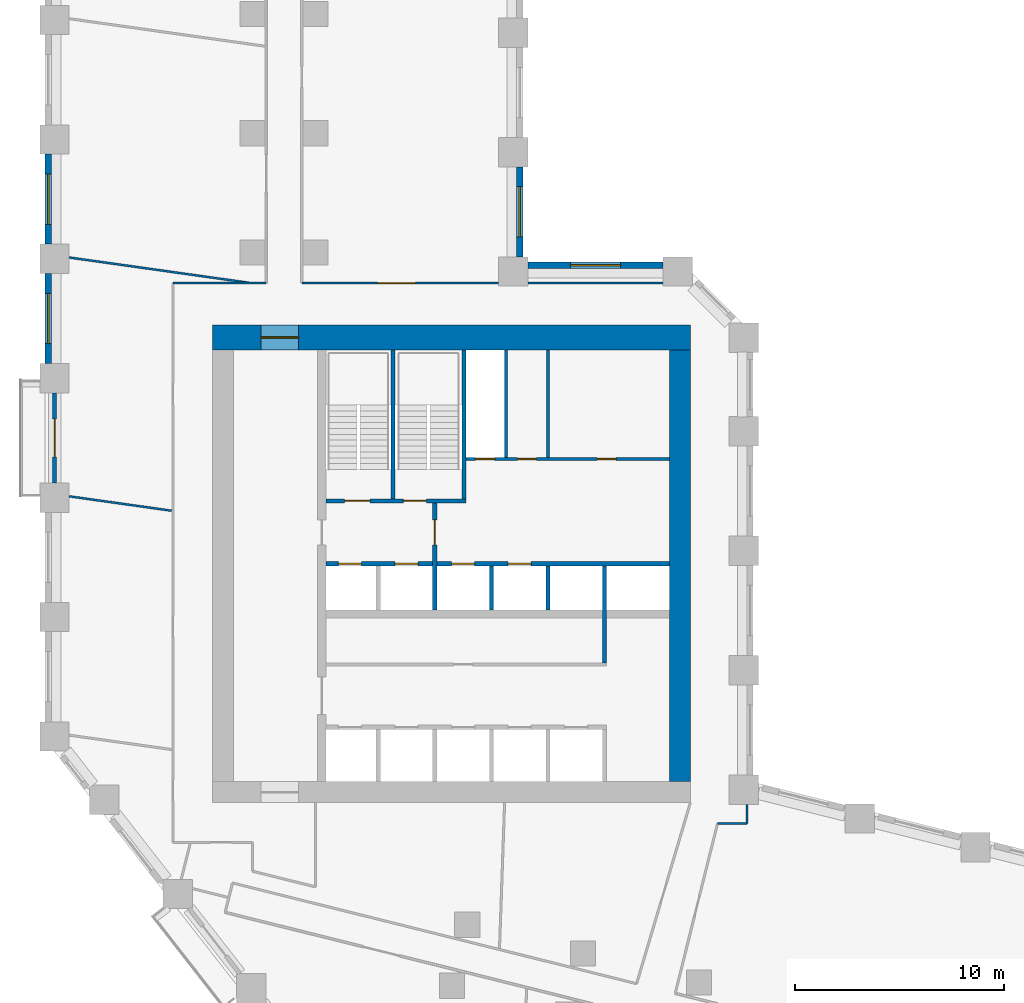
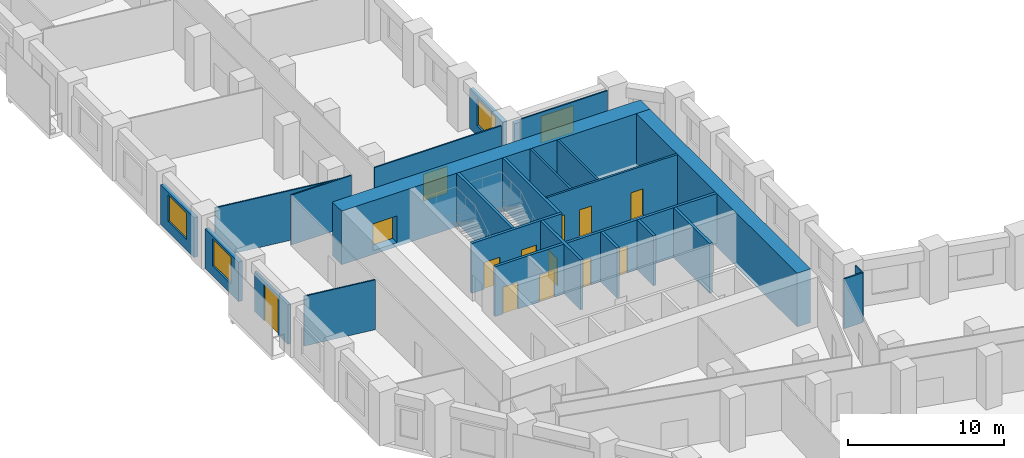
# One storey, part 5 of 11: 25 walls, 13 doors, 4 windows, 17 openings.
"""IFC4 building model written with IfcOpenShell, lengths in metres."""

from ifc_helpers import new_model, si_unit, direction, frame, frame_2d, origin, place, context, subcontext, project, spatial, rectangle, extrude, material, layer, layer_set, type_object, element, fill, save


model = new_model("IFC4")

# Units and contexts
model_context = context("Model", 3, precision=1e-05, world=origin(), true_north=direction((0.0, 1.0)))
body_context = subcontext(model_context, "Body", "Model", "MODEL_VIEW")
ifc_project = project(units=[si_unit("LENGTHUNIT", "METRE"), si_unit("AREAUNIT", "SQUARE_METRE"), si_unit("VOLUMEUNIT", "CUBIC_METRE"), si_unit("PLANEANGLEUNIT", "RADIAN"), si_unit("MASSUNIT", "GRAM", prefix="KILO")], contexts=[model_context])

# Site, building, storey
site_placement = place(None, origin())
site = spatial("IfcSite", under=ifc_project, at=site_placement, CompositionType="ELEMENT")
building_placement = place(site_placement, origin())
building = spatial("IfcBuilding", under=site, at=building_placement, Name="Meshkara Civic Tower", CompositionType="ELEMENT")
storey_placement = place(building_placement, frame((0.0, 0.0, 79.199951171875)))
storey = spatial("IfcBuildingStorey", under=building, at=storey_placement, Name="L17", CompositionType="ELEMENT", Elevation=79.199951171875)

# Wall, openings, doors
ifc_material_1 = material(Name="Blockwork", Category="masonry")
ifc_layer_1 = layer(ifc_material_1, 0.14990234375)
ifc_layer_set_1 = layer_set([ifc_layer_1], Name="Core partition 150")
wall_type_1 = type_object("IfcWallType", Name="Core partition 150", PredefinedType="PARTITIONING", material=ifc_layer_set_1)
wall_1_placement = place(storey_placement, frame((20.10009765625, 30.5, 0.0), z_axis=(0.0, 0.0, 1.0), x_axis=(1.0, 0.0, 0.0)))
wall_1 = element("IfcWall", 1, at=wall_1_placement, inside=storey, type_object=wall_type_1, Name="L17-C010", PredefinedType="PARTITIONING", context=body_context, shape_type="SweptSolid", body=[
    extrude(rectangle(XDim=9.699951171875, YDim=0.14990234375, at=frame_2d((4.85009765625, 0.0))), origin(), (0.0, 0.0, 1.0), 3.900146484375),
])
opening_1_placement = place(wall_1_placement, frame((0.449951171875, 0.0, 0.0)))
opening_1 = element("IfcOpeningElement", 2, at=opening_1_placement, cuts=wall_1, Name="Opening L17-K011", PredefinedType="OPENING", context=body_context, shape_type="SweptSolid", body=[
    extrude(rectangle(XDim=0.89990234375, YDim=2.10009765625, at=frame_2d((0.449951171875, 1.050048828125))), frame((0.0, 0.0849609375, 0.0), z_axis=(0.0, -1.0, 0.0), x_axis=(1.0, 0.0, 0.0)), (0.0, 0.0, 1.0), 0.169921875),
])
opening_2_placement = place(wall_1_placement, frame((2.449951171875, 0.0, 0.0)))
opening_2 = element("IfcOpeningElement", 3, at=opening_2_placement, cuts=wall_1, Name="Opening L17-K012", PredefinedType="OPENING", context=body_context, shape_type="SweptSolid", body=[
    extrude(rectangle(XDim=0.89990234375, YDim=2.10009765625, at=frame_2d((0.449951171875, 1.050048828125))), frame((0.0, 0.0849609375, 0.0), z_axis=(0.0, -1.0, 0.0), x_axis=(1.0, 0.0, 0.0)), (0.0, 0.0, 1.0), 0.169921875),
])
opening_3_placement = place(wall_1_placement, frame((6.25, 0.0, 0.0)))
opening_3 = element("IfcOpeningElement", 4, at=opening_3_placement, cuts=wall_1, Name="Opening L17-K013", PredefinedType="OPENING", context=body_context, shape_type="SweptSolid", body=[
    extrude(rectangle(XDim=0.89990234375, YDim=2.10009765625, at=frame_2d((0.449951171875, 1.050048828125))), frame((0.0, 0.0849609375, 0.0), z_axis=(0.0, -1.0, 0.0), x_axis=(1.0, 0.0, 0.0)), (0.0, 0.0, 1.0), 0.169921875),
])
ifc_material_2 = material(Name="Timber door leaf in steel frame", Category="steel")
door_type_1 = type_object("IfcDoorType", Name="Core room door 900", OperationType="SINGLE_SWING_LEFT", PredefinedType="DOOR", material=ifc_material_2)
door_1_placement = place(opening_3_placement, origin())
door_1 = element("IfcDoor", 5, at=door_1_placement, inside=storey, type_object=door_type_1, Name="L17-K013", OperationType="SINGLE_SWING_RIGHT", OverallHeight=2.10009765625, OverallWidth=0.89990234375, PredefinedType="DOOR", context=body_context, shape_type="SweptSolid", body=[
    extrude(rectangle(XDim=0.89990234375, YDim=2.10009765625, at=frame_2d((0.449951171875, 1.050048828125))), frame((0.0, 0.02490234375, 0.0), z_axis=(0.0, -1.0, 0.0), x_axis=(1.0, 0.0, 0.0)), (0.0, 0.0, 1.0), 0.050048828125),
])
fill(opening_3, door_1)
ifc_material_3 = material(Name="Fire-rated door leaf in steel frame", Category="steel")
door_type_2 = type_object("IfcDoorType", Name="Riser door 900", OperationType="SINGLE_SWING_LEFT", PredefinedType="DOOR", material=ifc_material_3)
door_2_placement = place(opening_1_placement, origin())
door_2 = element("IfcDoor", 6, at=door_2_placement, inside=storey, type_object=door_type_2, Name="L17-K011", OperationType="SINGLE_SWING_RIGHT", OverallHeight=2.10009765625, OverallWidth=0.89990234375, PredefinedType="DOOR", context=body_context, shape_type="SweptSolid", body=[
    extrude(rectangle(XDim=0.89990234375, YDim=2.10009765625, at=frame_2d((0.449951171875, 1.050048828125))), frame((0.0, 0.02490234375, 0.0), z_axis=(0.0, -1.0, 0.0), x_axis=(1.0, 0.0, 0.0)), (0.0, 0.0, 1.0), 0.050048828125),
])
fill(opening_1, door_2)
ifc_material_4 = material(Name="Timber door leaf in steel frame", Category="steel")
door_type_3 = type_object("IfcDoorType", Name="WC door 900", OperationType="SINGLE_SWING_LEFT", PredefinedType="DOOR", material=ifc_material_4)
door_3_placement = place(opening_2_placement, origin())
door_3 = element("IfcDoor", 7, at=door_3_placement, inside=storey, type_object=door_type_3, Name="L17-K012", OperationType="SINGLE_SWING_LEFT", OverallHeight=2.10009765625, OverallWidth=0.89990234375, PredefinedType="DOOR", context=body_context, shape_type="SweptSolid", body=[
    extrude(rectangle(XDim=0.89990234375, YDim=2.10009765625, at=frame_2d((0.449951171875, 1.050048828125))), frame((0.0, 0.02490234375, 0.0), z_axis=(0.0, -1.0, 0.0), x_axis=(1.0, 0.0, 0.0)), (0.0, 0.0, 1.0), 0.050048828125),
])
fill(opening_2, door_3)

# Walls
for number, where, z_axis, x_axis, name in (
    (8, (22.0, 30.574951171875, 0.0), (0.0, 0.0, 1.0), (0.0, 1.0, 0.0), "L17-C020"),
    (9, (24.0, 30.574951171875, 0.0), (0.0, 0.0, 1.0), (0.0, 1.0, 0.0), "L17-C023"),
):
    element("IfcWall", number, at=place(storey_placement, frame(where, z_axis=z_axis, x_axis=x_axis)), inside=storey, type_object=wall_type_1, Name=name, PredefinedType="PARTITIONING", context=body_context, shape_type="SweptSolid", body=[
        extrude(rectangle(XDim=5.125, YDim=0.14990234375, at=frame_2d((2.5625, 0.0))), origin(), (0.0, 0.0, 1.0), 3.900146484375),
    ])
ifc_material_5 = material(Name="Concrete C80", Category="concrete")
ifc_layer_2 = layer(ifc_material_5, 1.0)
ifc_layer_set_2 = layer_set([ifc_layer_2], Name="Core ring wall 1000 C80")
wall_type_2 = type_object("IfcWallType", Name="Core ring wall 1000 C80", PredefinedType="SHEAR", material=ifc_layer_set_2)
wall_2_placement = place(storey_placement, frame((30.300048828125, 15.10009765625, -0.300048828125), z_axis=(0.0, 0.0, 1.0), x_axis=(0.0, 1.0, 0.0)))
element("IfcWall", 10, at=wall_2_placement, inside=storey, type_object=wall_type_2, Name="L17-C004", PredefinedType="SHEAR", context=body_context, shape_type="SweptSolid", body=[
    extrude(rectangle(XDim=20.599853515625, YDim=1.0, at=frame_2d((10.2998046875, 0.0))), origin(), (0.0, 0.0, 1.0), 4.2001953125),
])

# Wall, opening, door
ifc_material_6 = material(Name="Concrete C80", Category="concrete")
ifc_layer_3 = layer(ifc_material_6, 1.199951171875)
ifc_layer_set_3 = layer_set([ifc_layer_3], Name="Core ring wall 1200 C80")
wall_type_3 = type_object("IfcWallType", Name="Core ring wall 1200 C80", PredefinedType="SHEAR", material=ifc_layer_set_3)
wall_3_placement = place(storey_placement, frame((8.0, 36.300048828125, -0.300048828125), z_axis=(0.0, 0.0, 1.0), x_axis=(1.0, 0.0, 0.0)))
wall_3 = element("IfcWall", 11, at=wall_3_placement, inside=storey, type_object=wall_type_3, Name="L17-C002", PredefinedType="SHEAR", context=body_context, shape_type="SweptSolid", body=[
    extrude(rectangle(XDim=22.800048828125, YDim=1.199951171875, at=frame_2d((11.39990234375, 0.0))), origin(), (0.0, 0.0, 1.0), 4.2001953125),
])
opening_4_placement = place(wall_3_placement, frame((2.300048828125, 0.0, 0.300048828125)))
opening_4 = element("IfcOpeningElement", 12, at=opening_4_placement, cuts=wall_3, Name="Opening L17-K019", PredefinedType="OPENING", context=body_context, shape_type="SweptSolid", body=[
    extrude(rectangle(XDim=1.800048828125, YDim=2.10009765625, at=frame_2d((0.89990234375, 1.050048828125))), frame((0.0, 0.60986328125, 0.0), z_axis=(0.0, -1.0, 0.0), x_axis=(1.0, 0.0, 0.0)), (0.0, 0.0, 1.0), 1.219970703125),
])
ifc_material_7 = material(Name="Fire-rated door leaf in steel frame", Category="steel")
door_type_4 = type_object("IfcDoorType", Name="Core double door 1800 EI 60", OperationType="DOUBLE_DOOR_SINGLE_SWING", PredefinedType="DOOR", material=ifc_material_7)
door_4_placement = place(opening_4_placement, origin())
door_4 = element("IfcDoor", 13, at=door_4_placement, inside=storey, type_object=door_type_4, Name="L17-K019", OperationType="DOUBLE_DOOR_SINGLE_SWING", OverallHeight=2.10009765625, OverallWidth=1.800048828125, PredefinedType="DOOR", context=body_context, shape_type="SweptSolid", body=[
    extrude(rectangle(XDim=1.800048828125, YDim=2.10009765625, at=frame_2d((0.89990234375, 1.050048828125))), frame((0.0, 0.02490234375, 0.0), z_axis=(0.0, -1.0, 0.0), x_axis=(1.0, 0.0, 0.0)), (0.0, 0.0, 1.0), 0.050048828125),
])
fill(opening_4, door_4)

# Wall
ifc_material_8 = material(Name="Corridor wall 100")
ifc_layer_4 = layer(ifc_material_8, 0.10009765625)
ifc_layer_set_4 = layer_set([ifc_layer_4], Name="Corridor wall 100")
wall_type_4 = type_object("IfcWallType", Name="Corridor wall 100", PredefinedType="PARTITIONING", material=ifc_layer_set_4)
wall_4_placement = place(storey_placement, frame((6.10009765625, 38.89990234375, 0.0), z_axis=(0.0, 0.0, 1.0), x_axis=(1.0, 0.0, 0.0)))
element("IfcWall", 14, at=wall_4_placement, inside=storey, type_object=wall_type_4, Name="L17-W006", PredefinedType="PARTITIONING", context=body_context, shape_type="SweptSolid", body=[
    extrude(rectangle(XDim=4.449951171875, YDim=0.10009765625, at=frame_2d((2.22509765625, 0.0))), origin(), (0.0, 0.0, 1.0), 3.900146484375),
])

# Wall, opening, door
wall_5_placement = place(storey_placement, frame((21.64990234375, 38.89990234375, 0.0), z_axis=(0.0, 0.0, 1.0), x_axis=(-1.0, 0.0, 0.0)))
wall_5 = element("IfcWall", 15, at=wall_5_placement, inside=storey, type_object=wall_type_4, Name="L17-W018", PredefinedType="PARTITIONING", context=body_context, shape_type="SweptSolid", body=[
    extrude(rectangle(XDim=9.39990234375, YDim=0.10009765625, at=frame_2d((4.699951171875, 0.0))), origin(), (0.0, 0.0, 1.0), 3.900146484375),
])
opening_5_placement = place(wall_5_placement, frame((3.97998046875, 0.0, 0.0)))
opening_5 = element("IfcOpeningElement", 16, at=opening_5_placement, cuts=wall_5, Name="Opening L17-D020", PredefinedType="OPENING", context=body_context, shape_type="SweptSolid", body=[
    extrude(rectangle(XDim=1.800048828125, YDim=2.10009765625, at=frame_2d((0.89990234375, 1.050048828125))), frame((0.0, 0.06005859375, 0.0), z_axis=(0.0, -1.0, 0.0), x_axis=(1.0, 0.0, 0.0)), (0.0, 0.0, 1.0), 0.1201171875),
])
ifc_material_9 = material(Name="Door pair 1800 x 2100")
door_type_5 = type_object("IfcDoorType", Name="Door pair 1800 x 2100", OperationType="SINGLE_SWING_LEFT", PredefinedType="DOOR", material=ifc_material_9)
door_5_placement = place(opening_5_placement, origin())
door_5 = element("IfcDoor", 17, at=door_5_placement, inside=storey, type_object=door_type_5, Name="L17-D020", OperationType="DOUBLE_DOOR_SINGLE_SWING", OverallHeight=2.10009765625, OverallWidth=1.800048828125, PredefinedType="DOOR", context=body_context, shape_type="SweptSolid", body=[
    extrude(rectangle(XDim=1.800048828125, YDim=2.10009765625, at=frame_2d((0.89990234375, 1.050048828125))), frame((0.0, 0.02490234375, 0.0), z_axis=(0.0, -1.0, 0.0), x_axis=(1.0, 0.0, 0.0)), (0.0, 0.0, 1.0), 0.050048828125),
])
fill(opening_5, door_5)

# Walls
wall_6_placement = place(storey_placement, frame((29.493896484375, 38.89990234375, 0.0), z_axis=(0.0, 0.0, 1.0), x_axis=(-1.0, 0.0, 0.0)))
element("IfcWall", 18, at=wall_6_placement, inside=storey, type_object=wall_type_4, Name="L17-W019", PredefinedType="PARTITIONING", context=body_context, shape_type="SweptSolid", body=[
    extrude(rectangle(XDim=6.44384765625, YDim=0.10009765625, at=frame_2d((3.221923828125, 0.0))), origin(), (0.0, 0.0, 1.0), 3.900146484375),
])
wall_7_placement = place(storey_placement, frame((32.096923828125, 13.10009765625, 0.0), z_axis=(0.0, 0.0, 1.0), x_axis=(1.0, 0.0, 0.0)))
element("IfcWall", 19, at=wall_7_placement, inside=storey, type_object=wall_type_4, Name="L17-W023", PredefinedType="PARTITIONING", context=body_context, shape_type="SweptSolid", body=[
    extrude(rectangle(XDim=1.403076171875, YDim=0.10009765625, at=frame_2d((0.70166015625, 0.0))), origin(), (0.0, 0.0, 1.0), 3.900146484375),
])
wall_8_placement = place(storey_placement, frame((33.5, 13.10009765625, 0.0), z_axis=(0.0, 0.0, 1.0), x_axis=(0.0, 1.0, 0.0)))
element("IfcWall", 20, at=wall_8_placement, inside=storey, type_object=wall_type_4, Name="L17-W024", PredefinedType="PARTITIONING", context=body_context, shape_type="SweptSolid", body=[
    extrude(rectangle(XDim=0.9189453125, YDim=0.10009765625, at=frame_2d((0.45947265625, 0.0))), origin(), (0.0, 0.0, 1.0), 3.900146484375),
])

# Wall, opening, window
ifc_material_10 = material(Name="Insulated infill panel with bronze anodised aluminium cladding", Category="aluminium")
ifc_layer_5 = layer(ifc_material_10, 0.300048828125)
ifc_layer_set_5 = layer_set([ifc_layer_5], Name="EXTERNAL INFILL WALL 300")
wall_type_5 = type_object("IfcWallType", Name="EXTERNAL INFILL WALL 300", PredefinedType="SOLIDWALL", material=ifc_layer_set_5)
wall_9_placement = place(storey_placement, frame((29.493896484375, 39.75, 0.0), z_axis=(0.0, 0.0, 1.0), x_axis=(-1.0, 0.0, 0.0)))
wall_9 = element("IfcWall", 21, at=wall_9_placement, inside=storey, type_object=wall_type_5, Name="External wall", PredefinedType="SOLIDWALL", context=body_context, shape_type="SweptSolid", body=[
    extrude(rectangle(XDim=6.44384765625, YDim=0.300048828125, at=frame_2d((3.221923828125, 0.0))), origin(), (0.0, 0.0, 1.0), 3.10009765625),
])
opening_6_placement = place(wall_9_placement, frame((2.02197265625, 0.0, 0.800048828125)))
opening_6 = element("IfcOpeningElement", 22, at=opening_6_placement, cuts=wall_9, Name="Opening W7", PredefinedType="OPENING", context=body_context, shape_type="SweptSolid", body=[
    extrude(rectangle(XDim=2.39990234375, YDim=2.10009765625, at=frame_2d((1.199951171875, 1.050048828125))), frame((0.0, 0.159912109375, 0.0), z_axis=(0.0, -1.0, 0.0), x_axis=(1.0, 0.0, 0.0)), (0.0, 0.0, 1.0), 0.320068359375),
])
ifc_material_11 = material(Name="Tinted double glazing", Category="glass")
window_type = type_object("IfcWindowType", Name="WINDOW 2400x2100", PartitioningType="DOUBLE_PANEL_VERTICAL", PredefinedType="WINDOW", material=ifc_material_11)
window_1_placement = place(opening_6_placement, origin())
window_1 = element("IfcWindow", 23, at=window_1_placement, inside=storey, type_object=window_type, Name="Window", OverallHeight=2.10009765625, OverallWidth=2.39990234375, PartitioningType="DOUBLE_PANEL_VERTICAL", PredefinedType="WINDOW", context=body_context, shape_type="SweptSolid", body=[
    extrude(rectangle(XDim=2.39990234375, YDim=2.10009765625, at=frame_2d((1.199951171875, 1.050048828125))), frame((0.0, 0.030029296875, 0.0), z_axis=(0.0, -1.0, 0.0), x_axis=(1.0, 0.0, 0.0)), (0.0, 0.0, 1.0), 0.06005859375),
])
fill(opening_6, window_1)

wall_10_placement = place(storey_placement, frame((22.64990234375, 40.14990234375, 0.0), z_axis=(0.0, 0.0, 1.0), x_axis=(0.0, 1.0, 0.0)))
wall_10 = element("IfcWall", 24, at=wall_10_placement, inside=storey, type_object=wall_type_5, Name="External wall", PredefinedType="SOLIDWALL", context=body_context, shape_type="SweptSolid", body=[
    extrude(rectangle(XDim=4.300048828125, YDim=0.300048828125, at=frame_2d((2.14990234375, 0.0))), origin(), (0.0, 0.0, 1.0), 3.10009765625),
])
opening_7_placement = place(wall_10_placement, frame((0.949951171875, 0.0, 0.800048828125)))
opening_7 = element("IfcOpeningElement", 25, at=opening_7_placement, cuts=wall_10, Name="Opening W7", PredefinedType="OPENING", context=body_context, shape_type="SweptSolid", body=[
    extrude(rectangle(XDim=2.39990234375, YDim=2.10009765625, at=frame_2d((1.199951171875, 1.050048828125))), frame((0.0, 0.159912109375, 0.0), z_axis=(0.0, -1.0, 0.0), x_axis=(1.0, 0.0, 0.0)), (0.0, 0.0, 1.0), 0.320068359375),
])
window_2_placement = place(opening_7_placement, origin())
window_2 = element("IfcWindow", 26, at=window_2_placement, inside=storey, type_object=window_type, Name="Window", OverallHeight=2.10009765625, OverallWidth=2.39990234375, PartitioningType="DOUBLE_PANEL_VERTICAL", PredefinedType="WINDOW", context=body_context, shape_type="SweptSolid", body=[
    extrude(rectangle(XDim=2.39990234375, YDim=2.10009765625, at=frame_2d((1.199951171875, 1.050048828125))), frame((0.0, 0.030029296875, 0.0), z_axis=(0.0, -1.0, 0.0), x_axis=(1.0, 0.0, 0.0)), (0.0, 0.0, 1.0), 0.06005859375),
])
fill(opening_7, window_2)

wall_11_placement = place(storey_placement, frame((0.14990234375, 45.054931640625, 0.0), z_axis=(0.0, 0.0, 1.0), x_axis=(0.0, -1.0, 0.0)))
wall_11 = element("IfcWall", 27, at=wall_11_placement, inside=storey, type_object=wall_type_5, Name="External wall", PredefinedType="SOLIDWALL", context=body_context, shape_type="SweptSolid", body=[
    extrude(rectangle(XDim=4.300048828125, YDim=0.300048828125, at=frame_2d((2.14990234375, 0.0))), origin(), (0.0, 0.0, 1.0), 3.10009765625),
])
opening_8_placement = place(wall_11_placement, frame((0.949951171875, 0.0, 0.800048828125)))
opening_8 = element("IfcOpeningElement", 28, at=opening_8_placement, cuts=wall_11, Name="Opening W7", PredefinedType="OPENING", context=body_context, shape_type="SweptSolid", body=[
    extrude(rectangle(XDim=2.39990234375, YDim=2.10009765625, at=frame_2d((1.199951171875, 1.050048828125))), frame((0.0, 0.159912109375, 0.0), z_axis=(0.0, -1.0, 0.0), x_axis=(1.0, 0.0, 0.0)), (0.0, 0.0, 1.0), 0.320068359375),
])
window_3_placement = place(opening_8_placement, origin())
window_3 = element("IfcWindow", 29, at=window_3_placement, inside=storey, type_object=window_type, Name="Window", OverallHeight=2.10009765625, OverallWidth=2.39990234375, PartitioningType="DOUBLE_PANEL_VERTICAL", PredefinedType="WINDOW", context=body_context, shape_type="SweptSolid", body=[
    extrude(rectangle(XDim=2.39990234375, YDim=2.10009765625, at=frame_2d((1.199951171875, 1.050048828125))), frame((0.0, 0.030029296875, 0.0), z_axis=(0.0, -1.0, 0.0), x_axis=(1.0, 0.0, 0.0)), (0.0, 0.0, 1.0), 0.06005859375),
])
fill(opening_8, window_3)

wall_12_placement = place(storey_placement, frame((0.14990234375, 39.35498046875, 0.0), z_axis=(0.0, 0.0, 1.0), x_axis=(0.0, -1.0, 0.0)))
wall_12 = element("IfcWall", 30, at=wall_12_placement, inside=storey, type_object=wall_type_5, Name="External wall", PredefinedType="SOLIDWALL", context=body_context, shape_type="SweptSolid", body=[
    extrude(rectangle(XDim=4.300048828125, YDim=0.300048828125, at=frame_2d((2.14990234375, 0.0))), origin(), (0.0, 0.0, 1.0), 3.10009765625),
])
opening_9_placement = place(wall_12_placement, frame((0.949951171875, 0.0, 0.800048828125)))
opening_9 = element("IfcOpeningElement", 31, at=opening_9_placement, cuts=wall_12, Name="Opening W7", PredefinedType="OPENING", context=body_context, shape_type="SweptSolid", body=[
    extrude(rectangle(XDim=2.39990234375, YDim=2.10009765625, at=frame_2d((1.199951171875, 1.050048828125))), frame((0.0, 0.159912109375, 0.0), z_axis=(0.0, -1.0, 0.0), x_axis=(1.0, 0.0, 0.0)), (0.0, 0.0, 1.0), 0.320068359375),
])
window_4_placement = place(opening_9_placement, origin())
window_4 = element("IfcWindow", 32, at=window_4_placement, inside=storey, type_object=window_type, Name="Window", OverallHeight=2.10009765625, OverallWidth=2.39990234375, PartitioningType="DOUBLE_PANEL_VERTICAL", PredefinedType="WINDOW", context=body_context, shape_type="SweptSolid", body=[
    extrude(rectangle(XDim=2.39990234375, YDim=2.10009765625, at=frame_2d((1.199951171875, 1.050048828125))), frame((0.0, 0.030029296875, 0.0), z_axis=(0.0, -1.0, 0.0), x_axis=(1.0, 0.0, 0.0)), (0.0, 0.0, 1.0), 0.06005859375),
])
fill(opening_9, window_4)

# Wall, opening, door
ifc_material_12 = material(Name="Insulated infill panel with bronze anodised aluminium cladding", Category="aluminium")
ifc_layer_6 = layer(ifc_material_12, 0.199951171875)
ifc_layer_set_6 = layer_set([ifc_layer_6], Name="LOGGIA BACK WALL 200")
wall_type_6 = type_object("IfcWallType", Name="LOGGIA BACK WALL 200", PredefinedType="SOLIDWALL", material=ifc_layer_set_6)
wall_13_placement = place(storey_placement, frame((0.449951171875, 33.654052734375, 0.0), z_axis=(0.0, 0.0, 1.0), x_axis=(0.0, -1.0, 0.0)))
wall_13 = element("IfcWall", 33, at=wall_13_placement, inside=storey, type_object=wall_type_6, Name="Loggia wall", PredefinedType="SOLIDWALL", context=body_context, shape_type="SweptSolid", body=[
    extrude(rectangle(XDim=4.298095703125, YDim=0.199951171875, at=frame_2d((2.14892578125, 0.0))), origin(), (0.0, 0.0, 1.0), 3.10009765625),
])
opening_10_placement = place(wall_13_placement, frame((1.2490234375, 0.0, 0.0)))
opening_10 = element("IfcOpeningElement", 34, at=opening_10_placement, cuts=wall_13, Name="Opening L17-L002", PredefinedType="OPENING", context=body_context, shape_type="SweptSolid", body=[
    extrude(rectangle(XDim=1.800048828125, YDim=2.89990234375, at=frame_2d((0.89990234375, 1.449951171875))), frame((0.0, 0.10986328125, 0.0), z_axis=(0.0, -1.0, 0.0), x_axis=(1.0, 0.0, 0.0)), (0.0, 0.0, 1.0), 0.219970703125),
])
ifc_material_13 = material(Name="Tinted double glazing", Category="glass")
door_type_6 = type_object("IfcDoorType", Name="LOGGIA DOOR 1800x2900", OperationType="DOUBLE_DOOR_SINGLE_SWING", PredefinedType="DOOR", material=ifc_material_13)
door_6_placement = place(opening_10_placement, origin())
door_6 = element("IfcDoor", 35, at=door_6_placement, inside=storey, type_object=door_type_6, Name="L17-L002", OperationType="DOUBLE_DOOR_SINGLE_SWING", OverallHeight=2.89990234375, OverallWidth=1.800048828125, PredefinedType="DOOR", context=body_context, shape_type="SweptSolid", body=[
    extrude(rectangle(XDim=1.800048828125, YDim=2.89990234375, at=frame_2d((0.89990234375, 1.449951171875))), frame((0.0, 0.02490234375, 0.0), z_axis=(0.0, -1.0, 0.0), x_axis=(1.0, 0.0, 0.0)), (0.0, 0.0, 1.0), 0.050048828125),
])
fill(opening_10, door_6)

# Walls
ifc_material_14 = material(Name="Partition 100")
ifc_layer_7 = layer(ifc_material_14, 0.10009765625)
ifc_layer_set_7 = layer_set([ifc_layer_7], Name="Partition 100")
wall_type_7 = type_object("IfcWallType", Name="Partition 100", PredefinedType="PARTITIONING", material=ifc_layer_set_7)
wall_14_placement = place(storey_placement, frame((6.04296875, 28.031005859375, 0.0), z_axis=(0.0, 0.0, 1.0), x_axis=(-0.990259346599, 0.139235148125, 0.0)))
element("IfcWall", 36, at=wall_14_placement, inside=storey, type_object=wall_type_7, Name="L17-W036", PredefinedType="PARTITIONING", context=body_context, shape_type="SweptSolid", body=[
    extrude(rectangle(XDim=4.941162109375, YDim=0.10009765625, at=frame_2d((2.470703125, 0.0))), origin(), (0.0, 0.0, 1.0), 3.900146484375),
])
wall_15_placement = place(storey_placement, frame((9.820068359375, 38.89990234375, 0.0), z_axis=(0.0, 0.0, 1.0), x_axis=(-0.99026048374, 0.139227060381, 0.0)))
element("IfcWall", 37, at=wall_15_placement, inside=storey, type_object=wall_type_7, Name="L17-W039", PredefinedType="PARTITIONING", context=body_context, shape_type="SweptSolid", body=[
    extrude(rectangle(XDim=8.75537109375, YDim=0.10009765625, at=frame_2d((4.377685546875, 0.0))), origin(), (0.0, 0.0, 1.0), 3.900146484375),
])

# Wall, openings, doors
ifc_material_15 = material(Name="Concrete C40/50", Category="concrete")
ifc_layer_8 = layer(ifc_material_15, 0.199951171875)
ifc_layer_set_8 = layer_set([ifc_layer_8], Name="Shaft wall 200 C40/50")
wall_type_8 = type_object("IfcWallType", Name="Shaft wall 200 C40/50", PredefinedType="SOLIDWALL", material=ifc_layer_set_8)
wall_16_placement = place(storey_placement, frame((13.39990234375, 25.5, 0.0), z_axis=(0.0, 0.0, 1.0), x_axis=(1.0, 0.0, 0.0)))
wall_16 = element("IfcWall", 38, at=wall_16_placement, inside=storey, type_object=wall_type_8, Name="L17-C008", PredefinedType="SOLIDWALL", context=body_context, shape_type="SweptSolid", body=[
    extrude(rectangle(XDim=16.400146484375, YDim=0.199951171875, at=frame_2d((8.2001953125, 0.0))), origin(), (0.0, 0.0, 1.0), 3.900146484375),
])
opening_11_placement = place(wall_16_placement, frame((0.60009765625, 0.0, 0.0)))
opening_11 = element("IfcOpeningElement", 39, at=opening_11_placement, cuts=wall_16, Name="Opening L17-K006", PredefinedType="OPENING", context=body_context, shape_type="SweptSolid", body=[
    extrude(rectangle(XDim=1.10009765625, YDim=2.10009765625, at=frame_2d((0.550048828125, 1.050048828125))), frame((0.0, 0.10986328125, 0.0), z_axis=(0.0, -1.0, 0.0), x_axis=(1.0, 0.0, 0.0)), (0.0, 0.0, 1.0), 0.219970703125),
])
opening_12_placement = place(wall_16_placement, frame((3.300048828125, 0.0, 0.0)))
opening_12 = element("IfcOpeningElement", 40, at=opening_12_placement, cuts=wall_16, Name="Opening L17-K007", PredefinedType="OPENING", context=body_context, shape_type="SweptSolid", body=[
    extrude(rectangle(XDim=1.10009765625, YDim=2.10009765625, at=frame_2d((0.550048828125, 1.050048828125))), frame((0.0, 0.10986328125, 0.0), z_axis=(0.0, -1.0, 0.0), x_axis=(1.0, 0.0, 0.0)), (0.0, 0.0, 1.0), 0.219970703125),
])
opening_13_placement = place(wall_16_placement, frame((6.0, 0.0, 0.0)))
opening_13 = element("IfcOpeningElement", 41, at=opening_13_placement, cuts=wall_16, Name="Opening L17-K008", PredefinedType="OPENING", context=body_context, shape_type="SweptSolid", body=[
    extrude(rectangle(XDim=1.10009765625, YDim=2.10009765625, at=frame_2d((0.550048828125, 1.050048828125))), frame((0.0, 0.10986328125, 0.0), z_axis=(0.0, -1.0, 0.0), x_axis=(1.0, 0.0, 0.0)), (0.0, 0.0, 1.0), 0.219970703125),
])
opening_14_placement = place(wall_16_placement, frame((8.699951171875, 0.0, 0.0)))
opening_14 = element("IfcOpeningElement", 42, at=opening_14_placement, cuts=wall_16, Name="Opening L17-K009", PredefinedType="OPENING", context=body_context, shape_type="SweptSolid", body=[
    extrude(rectangle(XDim=1.10009765625, YDim=2.10009765625, at=frame_2d((0.550048828125, 1.050048828125))), frame((0.0, 0.10986328125, 0.0), z_axis=(0.0, -1.0, 0.0), x_axis=(1.0, 0.0, 0.0)), (0.0, 0.0, 1.0), 0.219970703125),
])
ifc_material_16 = material(Name="Stainless steel landing door", Category="steel")
door_type_7 = type_object("IfcDoorType", Name="Lift landing door 1100", OperationType="SLIDING_TO_LEFT", PredefinedType="DOOR", material=ifc_material_16)
door_7_placement = place(opening_11_placement, origin())
door_7 = element("IfcDoor", 43, at=door_7_placement, inside=storey, type_object=door_type_7, Name="L17-K006", OperationType="SLIDING_TO_LEFT", OverallHeight=2.10009765625, OverallWidth=1.10009765625, PredefinedType="DOOR", context=body_context, shape_type="SweptSolid", body=[
    extrude(rectangle(XDim=1.10009765625, YDim=2.10009765625, at=frame_2d((0.550048828125, 1.050048828125))), frame((0.0, 0.02490234375, 0.0), z_axis=(0.0, -1.0, 0.0), x_axis=(1.0, 0.0, 0.0)), (0.0, 0.0, 1.0), 0.050048828125),
])
fill(opening_11, door_7)
door_8_placement = place(opening_12_placement, origin())
door_8 = element("IfcDoor", 44, at=door_8_placement, inside=storey, type_object=door_type_7, Name="L17-K007", OperationType="SLIDING_TO_LEFT", OverallHeight=2.10009765625, OverallWidth=1.10009765625, PredefinedType="DOOR", context=body_context, shape_type="SweptSolid", body=[
    extrude(rectangle(XDim=1.10009765625, YDim=2.10009765625, at=frame_2d((0.550048828125, 1.050048828125))), frame((0.0, 0.02490234375, 0.0), z_axis=(0.0, -1.0, 0.0), x_axis=(1.0, 0.0, 0.0)), (0.0, 0.0, 1.0), 0.050048828125),
])
fill(opening_12, door_8)
door_9_placement = place(opening_13_placement, origin())
door_9 = element("IfcDoor", 45, at=door_9_placement, inside=storey, type_object=door_type_7, Name="L17-K008", OperationType="SLIDING_TO_LEFT", OverallHeight=2.10009765625, OverallWidth=1.10009765625, PredefinedType="DOOR", context=body_context, shape_type="SweptSolid", body=[
    extrude(rectangle(XDim=1.10009765625, YDim=2.10009765625, at=frame_2d((0.550048828125, 1.050048828125))), frame((0.0, 0.02490234375, 0.0), z_axis=(0.0, -1.0, 0.0), x_axis=(1.0, 0.0, 0.0)), (0.0, 0.0, 1.0), 0.050048828125),
])
fill(opening_13, door_9)
door_10_placement = place(opening_14_placement, origin())
door_10 = element("IfcDoor", 46, at=door_10_placement, inside=storey, type_object=door_type_7, Name="L17-K009", OperationType="SLIDING_TO_LEFT", OverallHeight=2.10009765625, OverallWidth=1.10009765625, PredefinedType="DOOR", context=body_context, shape_type="SweptSolid", body=[
    extrude(rectangle(XDim=1.10009765625, YDim=2.10009765625, at=frame_2d((0.550048828125, 1.050048828125))), frame((0.0, 0.02490234375, 0.0), z_axis=(0.0, -1.0, 0.0), x_axis=(1.0, 0.0, 0.0)), (0.0, 0.0, 1.0), 0.050048828125),
])
fill(opening_14, door_10)

# Wall, opening, door
wall_17_placement = place(storey_placement, frame((18.60009765625, 23.300048828125, 0.0), z_axis=(0.0, 0.0, 1.0), x_axis=(0.0, 1.0, 0.0)))
wall_17 = element("IfcWall", 47, at=wall_17_placement, inside=storey, type_object=wall_type_8, Name="L17-C016", PredefinedType="SOLIDWALL", context=body_context, shape_type="SweptSolid", body=[
    extrude(rectangle(XDim=5.099853515625, YDim=0.199951171875, at=frame_2d((2.5498046875, 0.0))), origin(), (0.0, 0.0, 1.0), 3.900146484375),
])
opening_15_placement = place(wall_17_placement, frame((3.10009765625, 0.0, 0.0)))
opening_15 = element("IfcOpeningElement", 48, at=opening_15_placement, cuts=wall_17, Name="Opening L17-K018", PredefinedType="OPENING", context=body_context, shape_type="SweptSolid", body=[
    extrude(rectangle(XDim=1.199951171875, YDim=2.10009765625, at=frame_2d((0.60009765625, 1.050048828125))), frame((0.0, 0.10986328125, 0.0), z_axis=(0.0, -1.0, 0.0), x_axis=(1.0, 0.0, 0.0)), (0.0, 0.0, 1.0), 0.219970703125),
])
ifc_material_17 = material(Name="Fire-rated door leaf in steel frame", Category="steel")
door_type_8 = type_object("IfcDoorType", Name="Fire-fighting lobby door 1200 EI 120", OperationType="SINGLE_SWING_LEFT", PredefinedType="DOOR", material=ifc_material_17)
door_11_placement = place(opening_15_placement, origin())
door_11 = element("IfcDoor", 49, at=door_11_placement, inside=storey, type_object=door_type_8, Name="L17-K018", OperationType="SINGLE_SWING_RIGHT", OverallHeight=2.10009765625, OverallWidth=1.199951171875, PredefinedType="DOOR", context=body_context, shape_type="SweptSolid", body=[
    extrude(rectangle(XDim=1.199951171875, YDim=2.10009765625, at=frame_2d((0.60009765625, 1.050048828125))), frame((0.0, 0.02490234375, 0.0), z_axis=(0.0, -1.0, 0.0), x_axis=(1.0, 0.0, 0.0)), (0.0, 0.0, 1.0), 0.050048828125),
])
fill(opening_15, door_11)

# Walls
for number, where, z_axis, x_axis, name in (
    (50, (21.300048828125, 23.300048828125, 0.0), (0.0, 0.0, 1.0), (0.0, 1.0, 0.0), "L17-C019"),
    (51, (24.0, 23.300048828125, 0.0), (0.0, 0.0, 1.0), (0.0, 1.0, 0.0), "L17-C022"),
):
    element("IfcWall", number, at=place(storey_placement, frame(where, z_axis=z_axis, x_axis=x_axis)), inside=storey, type_object=wall_type_8, Name=name, PredefinedType="SOLIDWALL", context=body_context, shape_type="SweptSolid", body=[
        extrude(rectangle(XDim=2.099853515625, YDim=0.199951171875, at=frame_2d((1.0498046875, 0.0))), origin(), (0.0, 0.0, 1.0), 3.900146484375),
    ])
wall_18_placement = place(storey_placement, frame((26.699951171875, 20.77490234375, 0.0), z_axis=(0.0, 0.0, 1.0), x_axis=(0.0, 1.0, 0.0)))
element("IfcWall", 52, at=wall_18_placement, inside=storey, type_object=wall_type_8, Name="L17-C025", PredefinedType="SOLIDWALL", context=body_context, shape_type="SweptSolid", body=[
    extrude(rectangle(XDim=4.625, YDim=0.199951171875, at=frame_2d((2.3125, 0.0))), origin(), (0.0, 0.0, 1.0), 3.900146484375),
])

# Wall, openings, doors
ifc_material_18 = material(Name="Concrete C40/50", Category="concrete")
ifc_layer_9 = layer(ifc_material_18, 0.199951171875)
ifc_layer_set_9 = layer_set([ifc_layer_9], Name="Stair enclosure wall 200 C40/50")
wall_type_9 = type_object("IfcWallType", Name="Stair enclosure wall 200 C40/50", PredefinedType="SOLIDWALL", material=ifc_layer_set_9)
wall_19_placement = place(storey_placement, frame((13.39990234375, 28.5, 0.0), z_axis=(0.0, 0.0, 1.0), x_axis=(1.0, 0.0, 0.0)))
wall_19 = element("IfcWall", 53, at=wall_19_placement, inside=storey, type_object=wall_type_9, Name="L17-C009", PredefinedType="SOLIDWALL", context=body_context, shape_type="SweptSolid", body=[
    extrude(rectangle(XDim=6.7001953125, YDim=0.199951171875, at=frame_2d((3.35009765625, 0.0))), origin(), (0.0, 0.0, 1.0), 3.900146484375),
])
opening_16_placement = place(wall_19_placement, frame((0.89990234375, 0.0, 0.0)))
opening_16 = element("IfcOpeningElement", 54, at=opening_16_placement, cuts=wall_19, Name="Opening L17-K014", PredefinedType="OPENING", context=body_context, shape_type="SweptSolid", body=[
    extrude(rectangle(XDim=1.199951171875, YDim=2.10009765625, at=frame_2d((0.60009765625, 1.050048828125))), frame((0.0, 0.10986328125, 0.0), z_axis=(0.0, -1.0, 0.0), x_axis=(1.0, 0.0, 0.0)), (0.0, 0.0, 1.0), 0.219970703125),
])
opening_17_placement = place(wall_19_placement, frame((3.699951171875, 0.0, 0.0)))
opening_17 = element("IfcOpeningElement", 55, at=opening_17_placement, cuts=wall_19, Name="Opening L17-K015", PredefinedType="OPENING", context=body_context, shape_type="SweptSolid", body=[
    extrude(rectangle(XDim=1.10009765625, YDim=2.10009765625, at=frame_2d((0.550048828125, 1.050048828125))), frame((0.0, 0.10986328125, 0.0), z_axis=(0.0, -1.0, 0.0), x_axis=(1.0, 0.0, 0.0)), (0.0, 0.0, 1.0), 0.219970703125),
])
ifc_material_19 = material(Name="Fire-rated door leaf in steel frame", Category="steel")
door_type_9 = type_object("IfcDoorType", Name="Stair door 1100 EI 120", OperationType="SINGLE_SWING_LEFT", PredefinedType="DOOR", material=ifc_material_19)
door_12_placement = place(opening_17_placement, origin())
door_12 = element("IfcDoor", 56, at=door_12_placement, inside=storey, type_object=door_type_9, Name="L17-K015", OperationType="SINGLE_SWING_LEFT", OverallHeight=2.10009765625, OverallWidth=1.10009765625, PredefinedType="DOOR", context=body_context, shape_type="SweptSolid", body=[
    extrude(rectangle(XDim=1.10009765625, YDim=2.10009765625, at=frame_2d((0.550048828125, 1.050048828125))), frame((0.0, 0.02490234375, 0.0), z_axis=(0.0, -1.0, 0.0), x_axis=(1.0, 0.0, 0.0)), (0.0, 0.0, 1.0), 0.050048828125),
])
fill(opening_17, door_12)
ifc_material_20 = material(Name="Fire-rated door leaf in steel frame", Category="steel")
door_type_10 = type_object("IfcDoorType", Name="Stair door 1200 EI 120", OperationType="SINGLE_SWING_LEFT", PredefinedType="DOOR", material=ifc_material_20)
door_13_placement = place(opening_16_placement, origin())
door_13 = element("IfcDoor", 57, at=door_13_placement, inside=storey, type_object=door_type_10, Name="L17-K014", OperationType="SINGLE_SWING_RIGHT", OverallHeight=2.10009765625, OverallWidth=1.199951171875, PredefinedType="DOOR", context=body_context, shape_type="SweptSolid", body=[
    extrude(rectangle(XDim=1.199951171875, YDim=2.10009765625, at=frame_2d((0.60009765625, 1.050048828125))), frame((0.0, 0.02490234375, 0.0), z_axis=(0.0, -1.0, 0.0), x_axis=(1.0, 0.0, 0.0)), (0.0, 0.0, 1.0), 0.050048828125),
])
fill(opening_16, door_13)

# Walls
for number, where, z_axis, x_axis, name in (
    (58, (16.60009765625, 28.60009765625, 0.0), (0.0, 0.0, 1.0), (0.0, 1.0, 0.0), "L17-C014"),
    (59, (20.0, 28.60009765625, 0.0), (0.0, 0.0, 1.0), (0.0, 1.0, 0.0), "L17-C017"),
):
    element("IfcWall", number, at=place(storey_placement, frame(where, z_axis=z_axis, x_axis=x_axis)), inside=storey, type_object=wall_type_9, Name=name, PredefinedType="SOLIDWALL", context=body_context, shape_type="SweptSolid", body=[
        extrude(rectangle(XDim=7.099853515625, YDim=0.199951171875, at=frame_2d((3.5498046875, 0.0))), origin(), (0.0, 0.0, 1.0), 3.900146484375),
    ])

save(model, "model.ifc")
